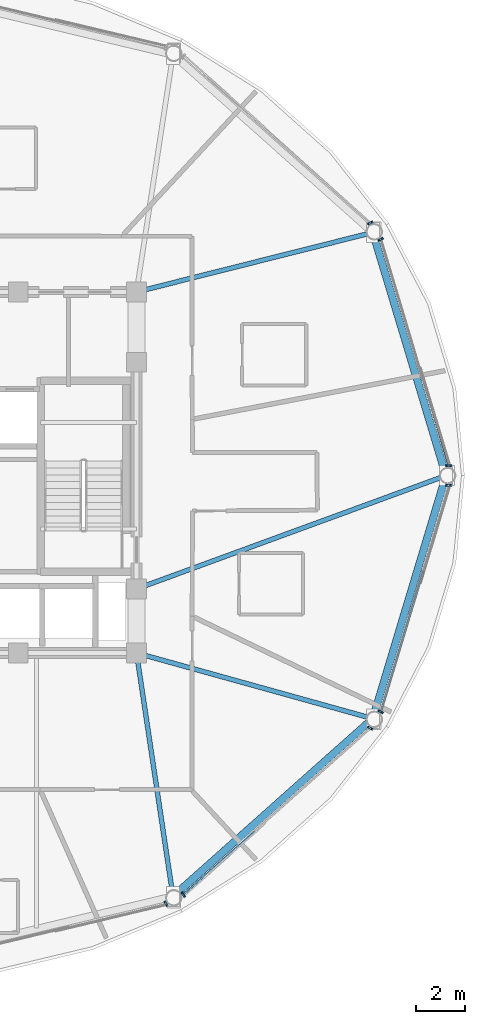
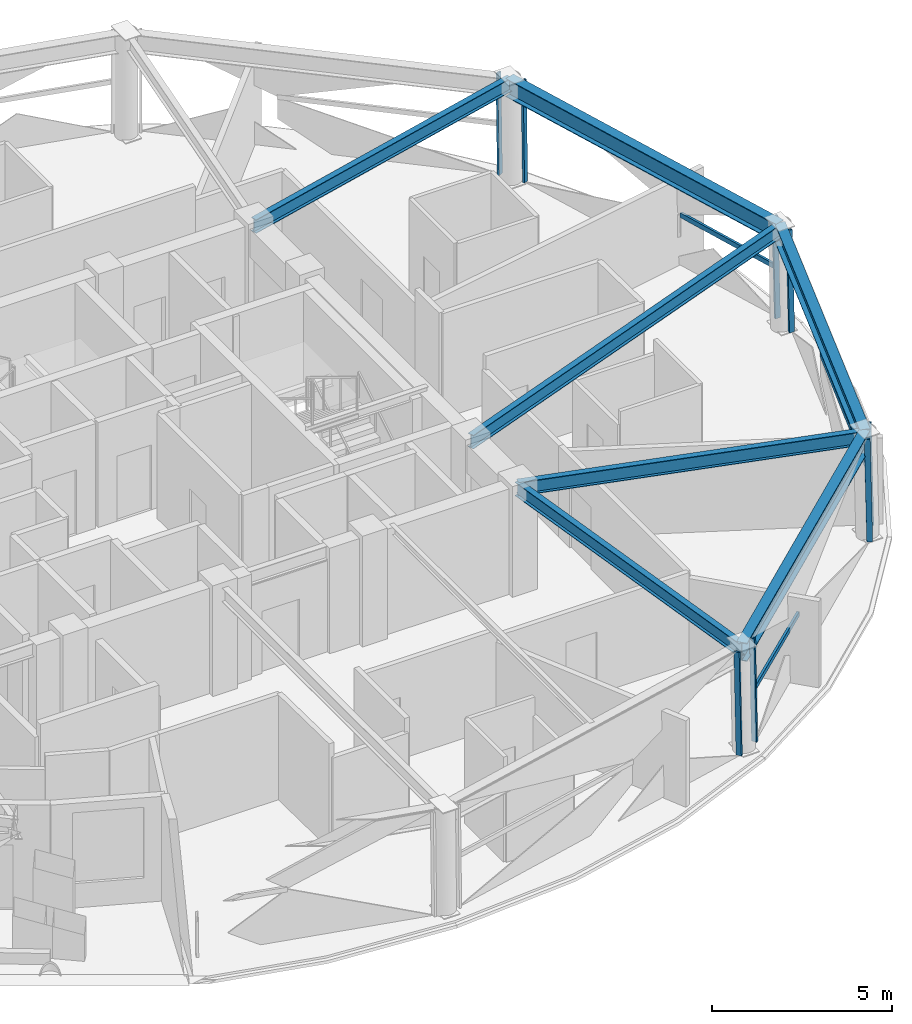
# One storey, part 5 of 17: 11 members, 7 beams, 5 elements without a shape of their own.
"""IFC4 building model written with IfcOpenShell, lengths in metres."""

import ifcopenshell
import ifcopenshell.guid

model = None  # the IFC model being written
_history = None  # IfcOwnerHistory: only IFC2X3 demands one
_inside = {}  # id of a spatial element -> (the spatial element, [elements in it])
_under = {}  # id of a project, library or spatial element -> (it, [spatial elements below it])
_declared = {}  # id of a project -> (the project, [libraries it declares])
_typed = {}  # id of a type object -> (the type object, [elements of that type])
_made_of = {}  # id of a material, layer set ... -> (it, [elements and type objects made of it])


def new_model(schema):
    """Start an empty IFC model of exactly this schema.

    Asked for "IFC4X3", IfcOpenShell would pick the latest addendum, in which some entities
    have other attributes; the version numbers below select the first issue.
    IFC2X3 requires an IfcOwnerHistory on every rooted entity: one is made here for all.
    """
    global model, _history
    if schema == "IFC4X3":
        model = ifcopenshell.file(schema_version=(4, 3, 0, 0))
    else:
        model = ifcopenshell.file(schema=schema)
    _inside.clear()
    _under.clear()
    _declared.clear()
    _typed.clear()
    _made_of.clear()
    _history = None
    if model.schema == "IFC2X3":
        org = make("IfcOrganization", Name="unknown")
        user = make(
            "IfcPersonAndOrganization",
            ThePerson=make("IfcPerson", FamilyName="unknown"),
            TheOrganization=org,
        )
        app = make(
            "IfcApplication",
            ApplicationDeveloper=org,
            Version="unknown",
            ApplicationFullName="unknown",
            ApplicationIdentifier="unknown",
        )
        _history = make(
            "IfcOwnerHistory",
            OwningUser=user,
            OwningApplication=app,
            ChangeAction="ADDED",
            CreationDate=0,
        )
    return model


def make(cls, **values):
    """One entity of the class cls with the attributes given. An attribute that is None is left unset."""
    return model.create_entity(
        cls, **{name: value for name, value in values.items() if value is not None}
    )


def rooted(cls, **values):
    """An entity with a GlobalId (a new one), such as an element, a storey or a relation."""
    return make(cls, GlobalId=ifcopenshell.guid.new(), OwnerHistory=_history, **values)


def si_unit(unit_type, name, prefix=None):
    """IfcSIUnit, for example si_unit("LENGTHUNIT", "METRE", prefix="MILLI")."""
    return make("IfcSIUnit", UnitType=unit_type, Prefix=prefix, Name=name)


def assignment(units):
    """IfcUnitAssignment: the units of a project."""
    return None if units is None else make("IfcUnitAssignment", Units=units)


def point(xyz):
    """IfcCartesianPoint."""
    return None if xyz is None else make("IfcCartesianPoint", Coordinates=xyz)


def direction(xyz):
    """IfcDirection."""
    return None if xyz is None else make("IfcDirection", DirectionRatios=xyz)


def frame(location, z_axis=None, x_axis=None):
    """IfcAxis2Placement3D, a coordinate frame: its origin and axes. An axis left out is left unset."""
    return make(
        "IfcAxis2Placement3D",
        Location=point(location),
        Axis=direction(z_axis),
        RefDirection=direction(x_axis),
    )


def frame_2d(location, x_axis=None):
    """IfcAxis2Placement2D, a coordinate frame in the plane: its origin and x axis."""
    return make(
        "IfcAxis2Placement2D", Location=point(location), RefDirection=direction(x_axis)
    )


def origin():
    """The frame at (0, 0, 0) with its axes left unset."""
    return frame((0.0, 0.0, 0.0))


def origin_2d():
    """The frame at (0, 0) in the plane with its x axis left unset."""
    return frame_2d((0.0, 0.0))


def place(relative_to, where):
    """IfcLocalPlacement: puts the frame where relative to a parent placement (None: the world)."""
    return make(
        "IfcLocalPlacement", PlacementRelTo=relative_to, RelativePlacement=where
    )


def context(
    kind, dimensions, precision=None, world=None, true_north=None, identifier=None
):
    """IfcGeometricRepresentationContext, for example the 3D "Model" context."""
    return make(
        "IfcGeometricRepresentationContext",
        ContextIdentifier=identifier,
        ContextType=kind,
        CoordinateSpaceDimension=dimensions,
        Precision=precision,
        WorldCoordinateSystem=world,
        TrueNorth=true_north,
    )


def subcontext(parent, identifier, kind, view, scale=None):
    """IfcGeometricRepresentationSubContext, for example "Body" below "Model"."""
    return make(
        "IfcGeometricRepresentationSubContext",
        ContextIdentifier=identifier,
        ContextType=kind,
        ParentContext=parent,
        TargetScale=scale,
        TargetView=view,
    )


def project(units=None, contexts=None):
    """IfcProject with its units and contexts."""
    return rooted(
        "IfcProject",
        Name="project",
        RepresentationContexts=contexts,
        UnitsInContext=assignment(units),
    )


def spatial(cls, under=None, at=None, **own):
    """A site, building, storey or space (cls), placed at a placement, below another one or the project."""
    s = rooted(cls, ObjectPlacement=at, **own)
    if under is not None:
        _under.setdefault(under.id(), (under, []))[1].append(s)
    return s


def profile(cls, at=None, kind="AREA", **sizes):
    """A parametric profile (cls). Its sizes go by their IFC names, for example OverallWidth=200.0."""
    return make(cls, ProfileType=kind, Position=at, **sizes)


def hollow_rectangle(**sizes):
    """IfcRectangleHollowProfileDef."""
    return profile("IfcRectangleHollowProfileDef", **sizes)


def i_section(**sizes):
    """IfcIShapeProfileDef."""
    return profile("IfcIShapeProfileDef", **sizes)


def extrude(swept, where, along, depth):
    """IfcExtrudedAreaSolid: the profile swept, set in the frame where, extruded along a direction by depth."""
    return make(
        "IfcExtrudedAreaSolid",
        SweptArea=swept,
        Position=where,
        ExtrudedDirection=direction(along),
        Depth=depth,
    )


def shape(context_of_items, identifier, shape_type, items):
    """IfcShapeRepresentation: the items that make up one representation, for example the "Body"."""
    return make(
        "IfcShapeRepresentation",
        ContextOfItems=context_of_items,
        RepresentationIdentifier=identifier,
        RepresentationType=shape_type,
        Items=items,
    )


def material(Name=None, Category=None):
    """IfcMaterial."""
    return make("IfcMaterial", Name=Name, Category=Category)


def layer(
    of_material, thickness, ventilated=None, Name=None, Category=None, Priority=None
):
    """IfcMaterialLayer: one layer of a wall or slab, of a material (None: an air gap)."""
    return make(
        "IfcMaterialLayer",
        Material=of_material,
        LayerThickness=thickness,
        IsVentilated=ventilated,
        Name=Name,
        Category=Category,
        Priority=Priority,
    )


def layer_set(layers, Name=None):
    """IfcMaterialLayerSet."""
    return make("IfcMaterialLayerSet", MaterialLayers=layers, LayerSetName=Name)


def material_profile(
    of_material, cross_section, Name=None, Category=None, Priority=None
):
    """IfcMaterialProfile: a cross section and its material."""
    return make(
        "IfcMaterialProfile",
        Name=Name,
        Material=of_material,
        Profile=cross_section,
        Priority=Priority,
        Category=Category,
    )


def profile_set(profiles, Name=None, composite=None):
    """IfcMaterialProfileSet."""
    return make(
        "IfcMaterialProfileSet",
        Name=Name,
        MaterialProfiles=profiles,
        CompositeProfile=composite,
    )


def made_of(thing, what):
    """Note that an element or type object is made of a material, layer set ...; save() writes the relation."""
    if what is not None:
        _made_of.setdefault(what.id(), (what, []))[1].append(thing)
    return thing


def type_object(cls, material=None, **own):
    """A type object (cls), such as IfcWallType, which elements share."""
    return made_of(rooted(cls, **own), material)


def element(
    cls,
    number,
    at=None,
    inside=None,
    cuts=None,
    type_object=None,
    material=None,
    context=None,
    identifier="Body",
    shape_type=None,
    held_by="IfcProductDefinitionShape",
    body=None,
    shapes=None,
    **own,
):
    """One element of the class cls, such as IfcWall. Its Tag is "e" and its number.

    at: its placement. inside: the storey or other place that contains it. cuts: it is an
    opening in that element (IfcRelVoidsElement). A single representation is given by context,
    identifier, shape_type and body (its items); several are given by shapes. held_by: the class
    of the entity that holds the representations. save() writes the other relations.
    """
    e = rooted(cls, Tag="e%d" % number, ObjectPlacement=at, **own)
    if body is not None:
        shapes = [shape(context, identifier, shape_type, body)]
    if shapes is not None:
        e.Representation = make(held_by, Representations=shapes)
    if inside is not None:
        _inside.setdefault(inside.id(), (inside, []))[1].append(e)
    if cuts is not None:
        rooted(
            "IfcRelVoidsElement", RelatingBuildingElement=cuts, RelatedOpeningElement=e
        )
    if type_object is not None:
        _typed.setdefault(type_object.id(), (type_object, []))[1].append(e)
    return made_of(e, material)


def aggregate(whole, parts):
    """IfcRelAggregates: a whole, such as a stair, and the parts it consists of."""
    return rooted("IfcRelAggregates", RelatingObject=whole, RelatedObjects=parts)


def save(model, path):
    """Write the relations noted so far, then the file.

    IfcRelAggregates (storeys below a building ...), IfcRelContainedInSpatialStructure (elements
    in a storey), IfcRelDefinesByType, IfcRelAssociatesMaterial and IfcRelDeclares: one each for
    every whole, place, type object, material and project.
    """
    for whole, parts in _under.values():
        aggregate(whole, parts)
    for where, things in _inside.values():
        rooted(
            "IfcRelContainedInSpatialStructure",
            RelatedElements=things,
            RelatingStructure=where,
        )
    for kind, things in _typed.values():
        rooted("IfcRelDefinesByType", RelatedObjects=things, RelatingType=kind)
    for what, things in _made_of.values():
        rooted("IfcRelAssociatesMaterial", RelatedObjects=things, RelatingMaterial=what)
    for by, libraries in _declared.values():
        rooted("IfcRelDeclares", RelatingContext=by, RelatedDefinitions=libraries)
    model.write(path)


model = new_model("IFC4")

# Units and contexts
model_context = context("Model", 3, precision=1e-05, world=origin(), true_north=direction((0.0, 1.0)))
body_context = subcontext(model_context, "Body", "Model", "MODEL_VIEW")
ifc_project = project(units=[si_unit("LENGTHUNIT", "METRE"), si_unit("AREAUNIT", "SQUARE_METRE"), si_unit("VOLUMEUNIT", "CUBIC_METRE"), si_unit("PLANEANGLEUNIT", "RADIAN"), si_unit("MASSUNIT", "GRAM", prefix="KILO")], contexts=[model_context])

# Site, building, storey
site_placement = place(None, origin())
site = spatial("IfcSite", under=ifc_project, at=site_placement, CompositionType="ELEMENT")
building_placement = place(site_placement, origin())
building = spatial("IfcBuilding", under=site, at=building_placement, Name="Vantalir Tower", CompositionType="ELEMENT")
storey_placement = place(building_placement, frame((0.0, 0.0, 208.64990234375)))
storey = spatial("IfcBuildingStorey", under=building, at=storey_placement, Name="L52", CompositionType="ELEMENT", Elevation=208.64990234375)

# Beams
ifc_material_1 = material(Name="Steel S355", Category="steel")
ifc_material_profile_1 = material_profile(ifc_material_1, i_section(OverallWidth=0.19189453125, OverallDepth=0.462890625, WebThickness=0.010498046875, FlangeThickness=0.017578125, at=origin_2d()), Name="Steel S355")
ifc_profile_set_1 = profile_set([ifc_material_profile_1], Name="Steel S355")
beam_type_1 = type_object("IfcBeamType", Name="BM-RB-457x191", PredefinedType="BEAM", material=ifc_profile_set_1)
beam_1_placement = place(storey_placement, frame((53.660888671875, 25.0, 3.338134765625), z_axis=(-0.939009760221, -0.343890491595, 0.0), x_axis=(0.343890491595, -0.939009760221, 0.0)))
element("IfcBeam", 1, at=beam_1_placement, inside=storey, type_object=beam_type_1, Name="L52 Radial Floor Beam 01", PredefinedType="BEAM", context=body_context, shape_type="SweptSolid", body=[
    extrude(i_section(OverallWidth=0.19189453125, OverallDepth=0.462890625, WebThickness=0.010498046875, FlangeThickness=0.017578125, at=origin_2d()), origin(), (0.0, 0.0, 1.0), 13.376708984375),
])
beam_2_placement = place(storey_placement, frame((50.69189453125, 34.863037109375, 3.338134765625), z_axis=(-0.969781336231, -0.243975736289, 0.0), x_axis=(0.243975736289, -0.969781336231, 0.0)))
element("IfcBeam", 2, at=beam_2_placement, inside=storey, type_object=beam_type_1, Name="L52 Radial Floor Beam 02", PredefinedType="BEAM", context=body_context, shape_type="SweptSolid", body=[
    extrude(i_section(OverallWidth=0.19189453125, OverallDepth=0.462890625, WebThickness=0.010498046875, FlangeThickness=0.017578125, at=origin_2d()), origin(), (0.0, 0.0, 1.0), 9.890625),
])
beam_3_placement = place(storey_placement, frame((42.580078125, 7.916015625, 3.338134765625), z_axis=(-0.148083623548, 0.988974843177, 0.0), x_axis=(-0.988974843177, -0.148083623548, 0.0)))
element("IfcBeam", 3, at=beam_3_placement, inside=storey, type_object=beam_type_1, Name="L52 Radial Floor Beam 11", PredefinedType="BEAM", context=body_context, shape_type="SweptSolid", body=[
    extrude(i_section(OverallWidth=0.19189453125, OverallDepth=0.462890625, WebThickness=0.010498046875, FlangeThickness=0.017578125, at=origin_2d()), origin(), (0.0, 0.0, 1.0), 9.994140625),
])
beam_4_placement = place(storey_placement, frame((50.69189453125, 15.135986328125, 3.338134765625), z_axis=(-0.963526341713, 0.267613506434, 0.0), x_axis=(-0.267613506434, -0.963526341713, 0.0)))
element("IfcBeam", 4, at=beam_4_placement, inside=storey, type_object=beam_type_1, Name="L52 Radial Floor Beam 12", PredefinedType="BEAM", context=body_context, shape_type="SweptSolid", body=[
    extrude(i_section(OverallWidth=0.19189453125, OverallDepth=0.462890625, WebThickness=0.010498046875, FlangeThickness=0.017578125, at=origin_2d()), origin(), (0.0, 0.0, 1.0), 9.954833984375),
])
ifc_material_2 = material(Name="Steel S460", Category="steel")
ifc_material_profile_2 = material_profile(ifc_material_2, i_section(OverallWidth=0.306884765625, OverallDepth=0.6201171875, WebThickness=0.01416015625, FlangeThickness=0.023681640625, at=origin_2d()), Name="Steel S460")
ifc_profile_set_2 = profile_set([ifc_material_profile_2], Name="Steel S460")
beam_type_2 = type_object("IfcBeamType", Name="BM-RG-610x305", PredefinedType="USERDEFINED", material=ifc_profile_set_2)
beam_5_placement = place(storey_placement, frame((53.660888671875, 25.0, 3.260009765625), z_axis=(-0.288245844001, 0.957556438763, 0.0), x_axis=(-0.957556438763, -0.288245844001, 0.0)))
element("IfcBeam", 5, at=beam_5_placement, inside=storey, type_object=beam_type_2, Name="L52 Circumferential Ring Girder 01", ObjectType="GIRDER", PredefinedType="USERDEFINED", context=body_context, shape_type="SweptSolid", body=[
    extrude(i_section(OverallWidth=0.306884765625, OverallDepth=0.6201171875, WebThickness=0.01416015625, FlangeThickness=0.023681640625, at=origin_2d()), origin(), (0.0, 0.0, 1.0), 10.30029296875),
])
beam_6_placement = place(storey_placement, frame((42.580078125, 7.916015625, 3.260009765625), z_axis=(0.746976271415, 0.664850697483, 0.0), x_axis=(-0.664850697483, 0.746976271415, 0.0)))
element("IfcBeam", 6, at=beam_6_placement, inside=storey, type_object=beam_type_2, Name="L52 Circumferential Ring Girder 11", ObjectType="GIRDER", PredefinedType="USERDEFINED", context=body_context, shape_type="SweptSolid", body=[
    extrude(i_section(OverallWidth=0.306884765625, OverallDepth=0.6201171875, WebThickness=0.01416015625, FlangeThickness=0.023681640625, at=origin_2d()), origin(), (0.0, 0.0, 1.0), 10.859619140625),
])
beam_7_placement = place(storey_placement, frame((50.69189453125, 15.135986328125, 3.260009765625), z_axis=(0.288219677626, 0.957564315035, 0.0), x_axis=(-0.957564315035, 0.288219677626, 0.0)))
element("IfcBeam", 7, at=beam_7_placement, inside=storey, type_object=beam_type_2, Name="L52 Circumferential Ring Girder 12", ObjectType="GIRDER", PredefinedType="USERDEFINED", context=body_context, shape_type="SweptSolid", body=[
    extrude(i_section(OverallWidth=0.306884765625, OverallDepth=0.6201171875, WebThickness=0.01416015625, FlangeThickness=0.023681640625, at=origin_2d()), origin(), (0.0, 0.0, 1.0), 10.30126953125),
])

# Curtain wall, members
ifc_material_3 = material(Name="Champagne-silver PVDF aluminium and double-silver Low-E glass", Category="aluminium")
ifc_layer = layer(ifc_material_3, 0.2099609375)
ifc_layer_set = layer_set([ifc_layer], Name="Champagne-silver PVDF aluminium and double-silver Low-E glass")
curtain_wall_type = type_object("IfcCurtainWallType", Name="CW-DIAMOND-Z3", PredefinedType="USERDEFINED", material=ifc_layer_set)
curtain_wall_1_placement = place(storey_placement, origin())
curtain_wall_1 = element("IfcCurtainWall", 8, at=curtain_wall_1_placement, inside=storey, type_object=curtain_wall_type, Name="L52 Quilted Pyramid-Diamond Curtain Wall S01", ObjectType="UNITISED CURTAIN WALL", PredefinedType="USERDEFINED")
ifc_material_4 = material(Name="Champagne-silver PVDF aluminium 6063-T6", Category="aluminium")
ifc_material_profile_3 = material_profile(ifc_material_4, hollow_rectangle(XDim=0.070068359375, YDim=0.1650390625, WallThickness=0.00390625, at=origin_2d()), Name="Champagne-silver PVDF aluminium 6063-T6")
ifc_profile_set_3 = profile_set([ifc_material_profile_3], Name="Champagne-silver PVDF aluminium 6063-T6")
member_type_1 = type_object("IfcMemberType", Name="CWM-165x70", PredefinedType="MULLION", material=ifc_profile_set_3)
member_1_placement = place(storey_placement, frame((53.805908203125, 25.39306640625, 0.045166015625), z_axis=(-0.020971954486, 0.0, 0.999780064377), x_axis=(0.0, -1.0, 0.0)))
member_1 = element("IfcMember", 9, at=member_1_placement, type_object=member_type_1, Name="CW-L52-S01 Mullion 1", PredefinedType="MULLION", context=body_context, shape_type="SweptSolid", body=[
    extrude(hollow_rectangle(XDim=0.070068359375, YDim=0.1650390625, WallThickness=0.00390625, at=origin_2d()), origin(), (0.0, 0.0, 1.0), 3.480712890625),
])
member_2_placement = place(storey_placement, frame((51.0380859375, 34.597900390625, 0.045166015625), z_axis=(-0.01809640683, -0.009469050086, 0.99979140682), x_axis=(0.463621974123, -0.886033106103, 0.0)))
member_2 = element("IfcMember", 10, at=member_2_placement, type_object=member_type_1, Name="CW-L52-S01 Mullion 2", PredefinedType="MULLION", context=body_context, shape_type="SweptSolid", body=[
    extrude(hollow_rectangle(XDim=0.070068359375, YDim=0.1650390625, WallThickness=0.00390625, at=origin_2d()), origin(), (0.0, 0.0, 1.0), 3.480712890625),
])

# Curtain wall, member
curtain_wall_2_placement = place(storey_placement, origin())
curtain_wall_2 = element("IfcCurtainWall", 11, at=curtain_wall_2_placement, inside=storey, type_object=curtain_wall_type, Name="L52 Quilted Pyramid-Diamond Curtain Wall S02", ObjectType="UNITISED CURTAIN WALL", PredefinedType="USERDEFINED")
member_3_placement = place(storey_placement, frame((50.614013671875, 35.263916015625, 0.045166015625), z_axis=(-0.01809640683, -0.009469050086, 0.99979140682), x_axis=(0.463621974123, -0.886033106103, 0.0)))
member_3 = element("IfcMember", 12, at=member_3_placement, type_object=member_type_1, Name="CW-L52-S02 Mullion 1", PredefinedType="MULLION", context=body_context, shape_type="SweptSolid", body=[
    extrude(hollow_rectangle(XDim=0.070068359375, YDim=0.1650390625, WallThickness=0.00390625, at=origin_2d()), origin(), (0.0, 0.0, 1.0), 3.480712890625),
])
aggregate(curtain_wall_2, [member_3])

curtain_wall_3_placement = place(storey_placement, origin())
curtain_wall_3 = element("IfcCurtainWall", 13, at=curtain_wall_3_placement, inside=storey, type_object=curtain_wall_type, Name="L52 Quilted Pyramid-Diamond Curtain Wall S10", ObjectType="UNITISED CURTAIN WALL", PredefinedType="USERDEFINED")
member_4_placement = place(storey_placement, frame((42.31298828125, 7.59912109375, 0.045166015625), z_axis=(-0.010310968939, 0.016343236481, 0.999813273837), x_axis=(-0.845747563059, -0.533583226479, 0.0)))
member_4 = element("IfcMember", 14, at=member_4_placement, type_object=member_type_1, Name="CW-L52-S10 Mullion 2", PredefinedType="MULLION", context=body_context, shape_type="SweptSolid", body=[
    extrude(hollow_rectangle(XDim=0.070068359375, YDim=0.1650390625, WallThickness=0.00390625, at=origin_2d()), origin(), (0.0, 0.0, 1.0), 3.480712890625),
])
aggregate(curtain_wall_3, [member_4])

# Curtain wall, members
curtain_wall_4_placement = place(storey_placement, origin())
curtain_wall_4 = element("IfcCurtainWall", 15, at=curtain_wall_4_placement, inside=storey, type_object=curtain_wall_type, Name="L52 Quilted Pyramid-Diamond Curtain Wall S11", ObjectType="UNITISED CURTAIN WALL", PredefinedType="USERDEFINED")
member_5_placement = place(storey_placement, frame((43.01806640625, 7.967041015625, 0.045166015625), z_axis=(-0.010381104051, 0.016343224621, 0.999812548275), x_axis=(-0.844108715031, -0.536172059333, 0.0)))
member_5 = element("IfcMember", 16, at=member_5_placement, type_object=member_type_1, Name="CW-L52-S11 Mullion 1", PredefinedType="MULLION", context=body_context, shape_type="SweptSolid", body=[
    extrude(hollow_rectangle(XDim=0.070068359375, YDim=0.1650390625, WallThickness=0.00390625, at=origin_2d()), origin(), (0.0, 0.0, 1.0), 3.480712890625),
])
member_6_placement = place(storey_placement, frame((50.614013671875, 14.735107421875, 0.045166015625), z_axis=(-0.01809640683, 0.009469050086, 0.99979140682), x_axis=(-0.463621974123, -0.886033106103, 0.0)))
member_6 = element("IfcMember", 17, at=member_6_placement, type_object=member_type_1, Name="CW-L52-S11 Mullion 2", PredefinedType="MULLION", context=body_context, shape_type="SweptSolid", body=[
    extrude(hollow_rectangle(XDim=0.070068359375, YDim=0.1650390625, WallThickness=0.00390625, at=origin_2d()), origin(), (0.0, 0.0, 1.0), 3.480712890625),
])

curtain_wall_5_placement = place(storey_placement, origin())
curtain_wall_5 = element("IfcCurtainWall", 18, at=curtain_wall_5_placement, inside=storey, type_object=curtain_wall_type, Name="L52 Quilted Pyramid-Diamond Curtain Wall S12", ObjectType="UNITISED CURTAIN WALL", PredefinedType="USERDEFINED")
member_7_placement = place(storey_placement, frame((51.0380859375, 15.40087890625, 0.045166015625), z_axis=(-0.018096394767, 0.009539184838, 0.99979074033), x_axis=(-0.466311600056, -0.884620535401, 0.0)))
member_7 = element("IfcMember", 19, at=member_7_placement, type_object=member_type_1, Name="CW-L52-S12 Mullion 1", PredefinedType="MULLION", context=body_context, shape_type="SweptSolid", body=[
    extrude(hollow_rectangle(XDim=0.070068359375, YDim=0.1650390625, WallThickness=0.00390625, at=origin_2d()), origin(), (0.0, 0.0, 1.0), 3.480712890625),
])
member_8_placement = place(storey_placement, frame((53.805908203125, 24.60693359375, 0.045166015625), z_axis=(-0.020971954486, 0.0, 0.999780064377), x_axis=(0.0, -1.0, 0.0)))
member_8 = element("IfcMember", 20, at=member_8_placement, type_object=member_type_1, Name="CW-L52-S12 Mullion 2", PredefinedType="MULLION", context=body_context, shape_type="SweptSolid", body=[
    extrude(hollow_rectangle(XDim=0.070068359375, YDim=0.1650390625, WallThickness=0.00390625, at=origin_2d()), origin(), (0.0, 0.0, 1.0), 3.480712890625),
])

# Member
ifc_material_profile_4 = material_profile(ifc_material_4, hollow_rectangle(XDim=0.074951171875, YDim=0.159912109375, WallThickness=0.00390625, at=origin_2d()), Name="Champagne-silver PVDF aluminium 6063-T6")
ifc_profile_set_4 = profile_set([ifc_material_profile_4], Name="Champagne-silver PVDF aluminium 6063-T6")
member_type_2 = type_object("IfcMemberType", Name="CWT-160x75", PredefinedType="USERDEFINED", material=ifc_profile_set_4)
member_9_placement = place(storey_placement, frame((53.76904296875, 25.39306640625, 1.78515625), z_axis=(-0.281643858707, 0.959519013283, 0.0), x_axis=(-0.959519013283, -0.281643858707, 0.0)))
member_9 = element("IfcMember", 21, at=member_9_placement, type_object=member_type_2, Name="CW-L52-S01 Pyramid Fold Ridge Transom", ObjectType="TRANSOM", PredefinedType="USERDEFINED", context=body_context, shape_type="SweptSolid", body=[
    extrude(hollow_rectangle(XDim=0.074951171875, YDim=0.159912109375, WallThickness=0.00390625, at=origin_2d()), origin(), (0.0, 0.0, 1.0), 3.643310546875),
])

aggregate(curtain_wall_1, [member_1, member_2, member_9])

member_10_placement = place(storey_placement, frame((43.0, 7.9951171875, 1.78515625), z_axis=(0.750638241974, 0.660713424781, 0.0), x_axis=(-0.660713424781, 0.750638241974, 0.0)))
member_10 = element("IfcMember", 22, at=member_10_placement, type_object=member_type_2, Name="CW-L52-S11 Pyramid Fold Ridge Transom", ObjectType="TRANSOM", PredefinedType="USERDEFINED", context=body_context, shape_type="SweptSolid", body=[
    extrude(hollow_rectangle(XDim=0.074951171875, YDim=0.159912109375, WallThickness=0.00390625, at=origin_2d()), origin(), (0.0, 0.0, 1.0), 3.860595703125),
])

aggregate(curtain_wall_4, [member_5, member_6, member_10])

member_11_placement = place(storey_placement, frame((51.007080078125, 15.4169921875, 1.78515625), z_axis=(0.291600591755, 0.956540168988, 0.0), x_axis=(-0.956540168988, 0.291600591755, 0.0)))
member_11 = element("IfcMember", 23, at=member_11_placement, type_object=member_type_2, Name="CW-L52-S12 Pyramid Fold Ridge Transom", ObjectType="TRANSOM", PredefinedType="USERDEFINED", context=body_context, shape_type="SweptSolid", body=[
    extrude(hollow_rectangle(XDim=0.074951171875, YDim=0.159912109375, WallThickness=0.00390625, at=origin_2d()), origin(), (0.0, 0.0, 1.0), 5.952880859375),
])

aggregate(curtain_wall_5, [member_7, member_8, member_11])

save(model, "model.ifc")
